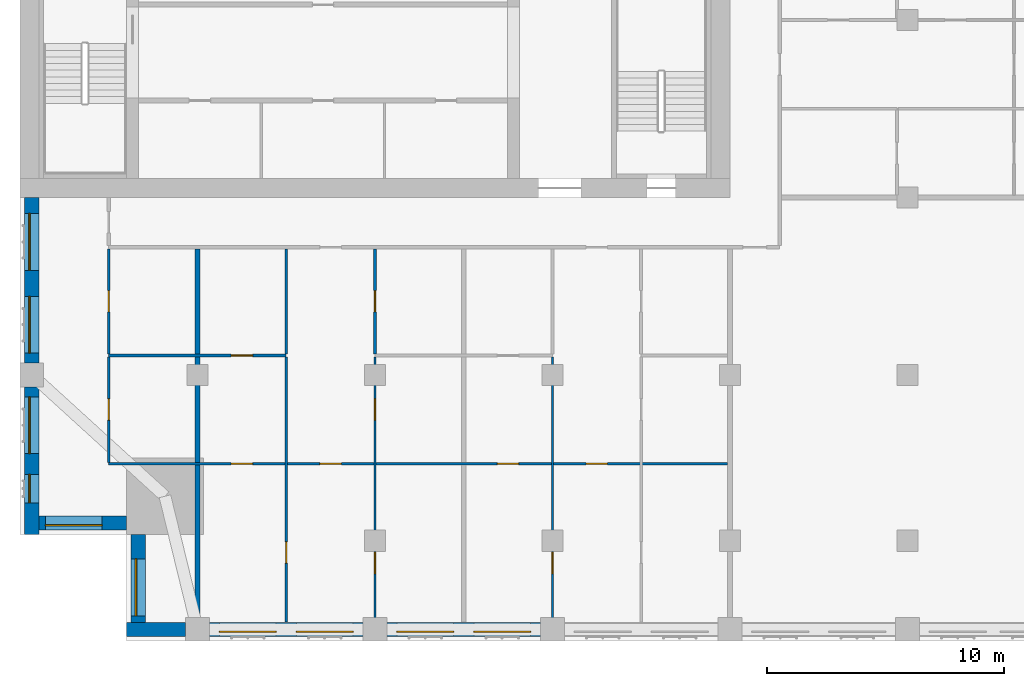
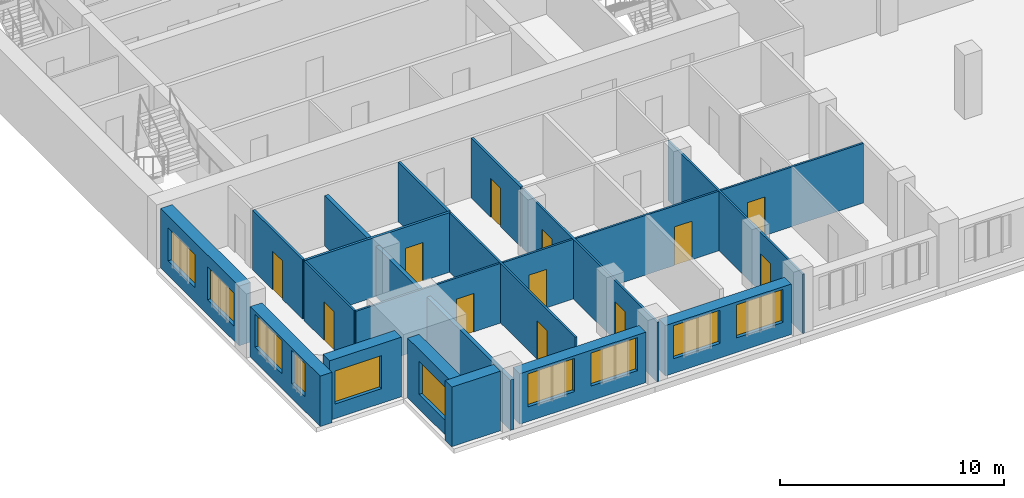
# One storey, part 6 of 14: 17 walls, 12 doors, 10 windows, 22 openings.
"""IFC4 building model written with IfcOpenShell, lengths in metres."""

from ifc_helpers import new_model, si_unit, direction, frame, frame_2d, origin, place, context, subcontext, project, spatial, rectangle, extrude, material, layer, layer_set, type_object, element, fill, save


model = new_model("IFC4")

# Units and contexts
model_context = context("Model", 3, precision=1e-05, world=origin(), true_north=direction((0.0, 1.0)))
body_context = subcontext(model_context, "Body", "Model", "MODEL_VIEW")
ifc_project = project(units=[si_unit("LENGTHUNIT", "METRE"), si_unit("AREAUNIT", "SQUARE_METRE"), si_unit("VOLUMEUNIT", "CUBIC_METRE"), si_unit("PLANEANGLEUNIT", "RADIAN"), si_unit("MASSUNIT", "GRAM", prefix="KILO")], contexts=[model_context])

# Site, building, storey
site_placement = place(None, origin())
site = spatial("IfcSite", under=ifc_project, at=site_placement, CompositionType="ELEMENT")
building_placement = place(site_placement, origin())
building = spatial("IfcBuilding", under=site, at=building_placement, Name="Tamorin Gate", CompositionType="ELEMENT")
storey_placement = place(building_placement, frame((0.0, 0.0, 179.199951171875)))
storey = spatial("IfcBuildingStorey", under=building, at=storey_placement, Name="L43", CompositionType="ELEMENT", Elevation=179.199951171875)

# Wall
ifc_material_1 = material(Name="Precast concrete C40/50", Category="concrete")
ifc_layer_1 = layer(ifc_material_1, 0.60009765625)
ifc_layer_set_1 = layer_set([ifc_layer_1], Name="Precast concrete C40/50")
wall_type_1 = type_object("IfcWallType", Name="Board-marked concrete facade panel 600", PredefinedType="SOLIDWALL", material=ifc_layer_set_1)
wall_1_placement = place(storey_placement, frame((34.5, 41.75, 0.0), z_axis=(0.0, 0.0, 1.0), x_axis=(1.0, 0.0, 0.0)))
element("IfcWall", 1, at=wall_1_placement, inside=storey, type_object=wall_type_1, Name="Facade panel", PredefinedType="SOLIDWALL", context=body_context, shape_type="SweptSolid", body=[
    extrude(rectangle(XDim=2.5, YDim=0.60009765625, at=frame_2d((1.25, 0.0))), origin(), (0.0, 0.0, 1.0), 3.25),
])

# Wall, openings, windows
wall_2_placement = place(storey_placement, frame((38.0, 41.75, 0.0), z_axis=(0.0, 0.0, 1.0), x_axis=(1.0, 0.0, 0.0)))
wall_2 = element("IfcWall", 2, at=wall_2_placement, inside=storey, type_object=wall_type_1, Name="Facade panel", PredefinedType="SOLIDWALL", context=body_context, shape_type="SweptSolid", body=[
    extrude(rectangle(XDim=6.5, YDim=0.60009765625, at=frame_2d((3.25, 0.0))), origin(), (0.0, 0.0, 1.0), 2.75),
])
opening_1_placement = place(wall_2_placement, frame((0.425048828125, 0.0, 0.800048828125)))
opening_1 = element("IfcOpeningElement", 3, at=opening_1_placement, cuts=wall_2, Name="Opening WN1", PredefinedType="OPENING", context=body_context, shape_type="SweptSolid", body=[
    extrude(rectangle(XDim=2.39990234375, YDim=1.800048828125, at=frame_2d((1.199951171875, 0.89990234375))), frame((0.0, 0.31005859375, 0.0), z_axis=(0.0, -1.0, 0.0), x_axis=(1.0, 0.0, 0.0)), (0.0, 0.0, 1.0), 0.6201171875),
])
opening_2_placement = place(wall_2_placement, frame((3.675048828125, 0.0, 0.800048828125)))
opening_2 = element("IfcOpeningElement", 4, at=opening_2_placement, cuts=wall_2, Name="Opening WN1", PredefinedType="OPENING", context=body_context, shape_type="SweptSolid", body=[
    extrude(rectangle(XDim=2.39990234375, YDim=1.800048828125, at=frame_2d((1.199951171875, 0.89990234375))), frame((0.0, 0.31005859375, 0.0), z_axis=(0.0, -1.0, 0.0), x_axis=(1.0, 0.0, 0.0)), (0.0, 0.0, 1.0), 0.6201171875),
])
ifc_material_2 = material(Name="Clear glass in aluminium frame", Category="aluminium")
window_type_1 = type_object("IfcWindowType", Name="Deep-set window 2400x1800", PartitioningType="SINGLE_PANEL", PredefinedType="WINDOW", material=ifc_material_2)
window_1_placement = place(opening_1_placement, origin())
window_1 = element("IfcWindow", 5, at=window_1_placement, inside=storey, type_object=window_type_1, Name="Deep-set window", OverallHeight=1.800048828125, OverallWidth=2.39990234375, PartitioningType="SINGLE_PANEL", PredefinedType="WINDOW", context=body_context, shape_type="SweptSolid", body=[
    extrude(rectangle(XDim=2.39990234375, YDim=1.800048828125, at=frame_2d((1.199951171875, 0.89990234375))), frame((0.0, -0.070068359375, 0.0), z_axis=(0.0, -1.0, 0.0), x_axis=(1.0, 0.0, 0.0)), (0.0, 0.0, 1.0), 0.06005859375),
])
fill(opening_1, window_1)
window_2_placement = place(opening_2_placement, origin())
window_2 = element("IfcWindow", 6, at=window_2_placement, inside=storey, type_object=window_type_1, Name="Deep-set window", OverallHeight=1.800048828125, OverallWidth=2.39990234375, PartitioningType="SINGLE_PANEL", PredefinedType="WINDOW", context=body_context, shape_type="SweptSolid", body=[
    extrude(rectangle(XDim=2.39990234375, YDim=1.800048828125, at=frame_2d((1.199951171875, 0.89990234375))), frame((0.0, -0.070068359375, 0.0), z_axis=(0.0, -1.0, 0.0), x_axis=(1.0, 0.0, 0.0)), (0.0, 0.0, 1.0), 0.06005859375),
])
fill(opening_2, window_2)

wall_3_placement = place(storey_placement, frame((45.5, 41.75, 0.0), z_axis=(0.0, 0.0, 1.0), x_axis=(1.0, 0.0, 0.0)))
wall_3 = element("IfcWall", 7, at=wall_3_placement, inside=storey, type_object=wall_type_1, Name="Facade panel", PredefinedType="SOLIDWALL", context=body_context, shape_type="SweptSolid", body=[
    extrude(rectangle(XDim=6.5, YDim=0.60009765625, at=frame_2d((3.25, 0.0))), origin(), (0.0, 0.0, 1.0), 2.75),
])
opening_3_placement = place(wall_3_placement, frame((0.425048828125, 0.0, 0.800048828125)))
opening_3 = element("IfcOpeningElement", 8, at=opening_3_placement, cuts=wall_3, Name="Opening WN1", PredefinedType="OPENING", context=body_context, shape_type="SweptSolid", body=[
    extrude(rectangle(XDim=2.39990234375, YDim=1.800048828125, at=frame_2d((1.199951171875, 0.89990234375))), frame((0.0, 0.31005859375, 0.0), z_axis=(0.0, -1.0, 0.0), x_axis=(1.0, 0.0, 0.0)), (0.0, 0.0, 1.0), 0.6201171875),
])
opening_4_placement = place(wall_3_placement, frame((3.675048828125, 0.0, 0.800048828125)))
opening_4 = element("IfcOpeningElement", 9, at=opening_4_placement, cuts=wall_3, Name="Opening WN1", PredefinedType="OPENING", context=body_context, shape_type="SweptSolid", body=[
    extrude(rectangle(XDim=2.39990234375, YDim=1.800048828125, at=frame_2d((1.199951171875, 0.89990234375))), frame((0.0, 0.31005859375, 0.0), z_axis=(0.0, -1.0, 0.0), x_axis=(1.0, 0.0, 0.0)), (0.0, 0.0, 1.0), 0.6201171875),
])
window_3_placement = place(opening_3_placement, origin())
window_3 = element("IfcWindow", 10, at=window_3_placement, inside=storey, type_object=window_type_1, Name="Deep-set window", OverallHeight=1.800048828125, OverallWidth=2.39990234375, PartitioningType="SINGLE_PANEL", PredefinedType="WINDOW", context=body_context, shape_type="SweptSolid", body=[
    extrude(rectangle(XDim=2.39990234375, YDim=1.800048828125, at=frame_2d((1.199951171875, 0.89990234375))), frame((0.0, -0.070068359375, 0.0), z_axis=(0.0, -1.0, 0.0), x_axis=(1.0, 0.0, 0.0)), (0.0, 0.0, 1.0), 0.06005859375),
])
fill(opening_3, window_3)
window_4_placement = place(opening_4_placement, origin())
window_4 = element("IfcWindow", 11, at=window_4_placement, inside=storey, type_object=window_type_1, Name="Deep-set window", OverallHeight=1.800048828125, OverallWidth=2.39990234375, PartitioningType="SINGLE_PANEL", PredefinedType="WINDOW", context=body_context, shape_type="SweptSolid", body=[
    extrude(rectangle(XDim=2.39990234375, YDim=1.800048828125, at=frame_2d((1.199951171875, 0.89990234375))), frame((0.0, -0.070068359375, 0.0), z_axis=(0.0, -1.0, 0.0), x_axis=(1.0, 0.0, 0.0)), (0.0, 0.0, 1.0), 0.06005859375),
])
fill(opening_4, window_4)

wall_4_placement = place(storey_placement, frame((30.5, 60.0, 0.0), z_axis=(0.0, 0.0, 1.0), x_axis=(0.0, -1.0, 0.0)))
wall_4 = element("IfcWall", 12, at=wall_4_placement, inside=storey, type_object=wall_type_1, Name="Facade panel", PredefinedType="SOLIDWALL", context=body_context, shape_type="SweptSolid", body=[
    extrude(rectangle(XDim=7.0, YDim=0.60009765625, at=frame_2d((3.5, 0.0))), origin(), (0.0, 0.0, 1.0), 3.25),
])
opening_5_placement = place(wall_4_placement, frame((4.175048828125, 0.0, 0.800048828125)))
opening_5 = element("IfcOpeningElement", 13, at=opening_5_placement, cuts=wall_4, Name="Opening WN1", PredefinedType="OPENING", context=body_context, shape_type="SweptSolid", body=[
    extrude(rectangle(XDim=2.39990234375, YDim=1.800048828125, at=frame_2d((1.199951171875, 0.89990234375))), frame((0.0, 0.31005859375, 0.0), z_axis=(0.0, -1.0, 0.0), x_axis=(1.0, 0.0, 0.0)), (0.0, 0.0, 1.0), 0.6201171875),
])
opening_6_placement = place(wall_4_placement, frame((0.675048828125, 0.0, 0.800048828125)))
opening_6 = element("IfcOpeningElement", 14, at=opening_6_placement, cuts=wall_4, Name="Opening WN1", PredefinedType="OPENING", context=body_context, shape_type="SweptSolid", body=[
    extrude(rectangle(XDim=2.39990234375, YDim=1.800048828125, at=frame_2d((1.199951171875, 0.89990234375))), frame((0.0, 0.31005859375, 0.0), z_axis=(0.0, -1.0, 0.0), x_axis=(1.0, 0.0, 0.0)), (0.0, 0.0, 1.0), 0.6201171875),
])
window_5_placement = place(opening_5_placement, origin())
window_5 = element("IfcWindow", 15, at=window_5_placement, inside=storey, type_object=window_type_1, Name="Deep-set window", OverallHeight=1.800048828125, OverallWidth=2.39990234375, PartitioningType="SINGLE_PANEL", PredefinedType="WINDOW", context=body_context, shape_type="SweptSolid", body=[
    extrude(rectangle(XDim=2.39990234375, YDim=1.800048828125, at=frame_2d((1.199951171875, 0.89990234375))), frame((0.0, -0.070068359375, 0.0), z_axis=(0.0, -1.0, 0.0), x_axis=(1.0, 0.0, 0.0)), (0.0, 0.0, 1.0), 0.06005859375),
])
fill(opening_5, window_5)
window_6_placement = place(opening_6_placement, origin())
window_6 = element("IfcWindow", 16, at=window_6_placement, inside=storey, type_object=window_type_1, Name="Deep-set window", OverallHeight=1.800048828125, OverallWidth=2.39990234375, PartitioningType="SINGLE_PANEL", PredefinedType="WINDOW", context=body_context, shape_type="SweptSolid", body=[
    extrude(rectangle(XDim=2.39990234375, YDim=1.800048828125, at=frame_2d((1.199951171875, 0.89990234375))), frame((0.0, -0.070068359375, 0.0), z_axis=(0.0, -1.0, 0.0), x_axis=(1.0, 0.0, 0.0)), (0.0, 0.0, 1.0), 0.06005859375),
])
fill(opening_6, window_6)

wall_5_placement = place(storey_placement, frame((30.5, 52.0, 0.0), z_axis=(0.0, 0.0, 1.0), x_axis=(0.0, -1.0, 0.0)))
wall_5 = element("IfcWall", 17, at=wall_5_placement, inside=storey, type_object=wall_type_1, Name="Facade panel", PredefinedType="SOLIDWALL", context=body_context, shape_type="SweptSolid", body=[
    extrude(rectangle(XDim=6.25, YDim=0.60009765625, at=frame_2d((3.125, 0.0))), origin(), (0.0, 0.0, 1.0), 2.75),
])
opening_7_placement = place(wall_5_placement, frame((3.699951171875, 0.0, 0.800048828125)))
opening_7 = element("IfcOpeningElement", 18, at=opening_7_placement, cuts=wall_5, Name="Opening WN3", PredefinedType="OPENING", context=body_context, shape_type="SweptSolid", body=[
    extrude(rectangle(XDim=1.199951171875, YDim=1.800048828125, at=frame_2d((0.60009765625, 0.89990234375))), frame((0.0, 0.31005859375, 0.0), z_axis=(0.0, -1.0, 0.0), x_axis=(1.0, 0.0, 0.0)), (0.0, 0.0, 1.0), 0.6201171875),
])
opening_8_placement = place(wall_5_placement, frame((0.425048828125, 0.0, 0.800048828125)))
opening_8 = element("IfcOpeningElement", 19, at=opening_8_placement, cuts=wall_5, Name="Opening WN1", PredefinedType="OPENING", context=body_context, shape_type="SweptSolid", body=[
    extrude(rectangle(XDim=2.39990234375, YDim=1.800048828125, at=frame_2d((1.199951171875, 0.89990234375))), frame((0.0, 0.31005859375, 0.0), z_axis=(0.0, -1.0, 0.0), x_axis=(1.0, 0.0, 0.0)), (0.0, 0.0, 1.0), 0.6201171875),
])
window_type_2 = type_object("IfcWindowType", Name="Deep-set window 1200x1800", PartitioningType="SINGLE_PANEL", PredefinedType="WINDOW", material=ifc_material_2)
window_7_placement = place(opening_7_placement, origin())
window_7 = element("IfcWindow", 20, at=window_7_placement, inside=storey, type_object=window_type_2, Name="Deep-set window", OverallHeight=1.800048828125, OverallWidth=1.199951171875, PartitioningType="SINGLE_PANEL", PredefinedType="WINDOW", context=body_context, shape_type="SweptSolid", body=[
    extrude(rectangle(XDim=1.199951171875, YDim=1.800048828125, at=frame_2d((0.60009765625, 0.89990234375))), frame((0.0, -0.070068359375, 0.0), z_axis=(0.0, -1.0, 0.0), x_axis=(1.0, 0.0, 0.0)), (0.0, 0.0, 1.0), 0.06005859375),
])
fill(opening_7, window_7)
window_8_placement = place(opening_8_placement, origin())
window_8 = element("IfcWindow", 21, at=window_8_placement, inside=storey, type_object=window_type_1, Name="Deep-set window", OverallHeight=1.800048828125, OverallWidth=2.39990234375, PartitioningType="SINGLE_PANEL", PredefinedType="WINDOW", context=body_context, shape_type="SweptSolid", body=[
    extrude(rectangle(XDim=2.39990234375, YDim=1.800048828125, at=frame_2d((1.199951171875, 0.89990234375))), frame((0.0, -0.070068359375, 0.0), z_axis=(0.0, -1.0, 0.0), x_axis=(1.0, 0.0, 0.0)), (0.0, 0.0, 1.0), 0.06005859375),
])
fill(opening_8, window_8)

# Wall, opening, window
wall_6_placement = place(storey_placement, frame((30.800048828125, 46.25, 0.0), z_axis=(0.0, 0.0, 1.0), x_axis=(1.0, 0.0, 0.0)))
wall_6 = element("IfcWall", 22, at=wall_6_placement, inside=storey, type_object=wall_type_1, Name="Facade panel", PredefinedType="SOLIDWALL", context=body_context, shape_type="SweptSolid", body=[
    extrude(rectangle(XDim=3.699951171875, YDim=0.60009765625, at=frame_2d((1.85009765625, 0.0))), origin(), (0.0, 0.0, 1.0), 3.25),
])
opening_9_placement = place(wall_6_placement, frame((0.27490234375, 0.0, 0.800048828125)))
opening_9 = element("IfcOpeningElement", 23, at=opening_9_placement, cuts=wall_6, Name="Opening WN1", PredefinedType="OPENING", context=body_context, shape_type="SweptSolid", body=[
    extrude(rectangle(XDim=2.39990234375, YDim=1.800048828125, at=frame_2d((1.199951171875, 0.89990234375))), frame((0.0, 0.31005859375, 0.0), z_axis=(0.0, -1.0, 0.0), x_axis=(1.0, 0.0, 0.0)), (0.0, 0.0, 1.0), 0.6201171875),
])
window_9_placement = place(opening_9_placement, origin())
window_9 = element("IfcWindow", 24, at=window_9_placement, inside=storey, type_object=window_type_1, Name="Deep-set window", OverallHeight=1.800048828125, OverallWidth=2.39990234375, PartitioningType="SINGLE_PANEL", PredefinedType="WINDOW", context=body_context, shape_type="SweptSolid", body=[
    extrude(rectangle(XDim=2.39990234375, YDim=1.800048828125, at=frame_2d((1.199951171875, 0.89990234375))), frame((0.0, -0.070068359375, 0.0), z_axis=(0.0, -1.0, 0.0), x_axis=(1.0, 0.0, 0.0)), (0.0, 0.0, 1.0), 0.06005859375),
])
fill(opening_9, window_9)

wall_7_placement = place(storey_placement, frame((35.0, 45.75, 0.0), z_axis=(0.0, 0.0, 1.0), x_axis=(0.0, -1.0, 0.0)))
wall_7 = element("IfcWall", 25, at=wall_7_placement, inside=storey, type_object=wall_type_1, Name="Facade panel", PredefinedType="SOLIDWALL", context=body_context, shape_type="SweptSolid", body=[
    extrude(rectangle(XDim=3.699951171875, YDim=0.60009765625, at=frame_2d((1.85009765625, 0.0))), origin(), (0.0, 0.0, 1.0), 3.25),
])
opening_10_placement = place(wall_7_placement, frame((1.02490234375, 0.0, 0.800048828125)))
opening_10 = element("IfcOpeningElement", 26, at=opening_10_placement, cuts=wall_7, Name="Opening WN1", PredefinedType="OPENING", context=body_context, shape_type="SweptSolid", body=[
    extrude(rectangle(XDim=2.39990234375, YDim=1.800048828125, at=frame_2d((1.199951171875, 0.89990234375))), frame((0.0, 0.31005859375, 0.0), z_axis=(0.0, -1.0, 0.0), x_axis=(1.0, 0.0, 0.0)), (0.0, 0.0, 1.0), 0.6201171875),
])
window_10_placement = place(opening_10_placement, origin())
window_10 = element("IfcWindow", 27, at=window_10_placement, inside=storey, type_object=window_type_1, Name="Deep-set window", OverallHeight=1.800048828125, OverallWidth=2.39990234375, PartitioningType="SINGLE_PANEL", PredefinedType="WINDOW", context=body_context, shape_type="SweptSolid", body=[
    extrude(rectangle(XDim=2.39990234375, YDim=1.800048828125, at=frame_2d((1.199951171875, 0.89990234375))), frame((0.0, -0.070068359375, 0.0), z_axis=(0.0, -1.0, 0.0), x_axis=(1.0, 0.0, 0.0)), (0.0, 0.0, 1.0), 0.06005859375),
])
fill(opening_10, window_10)

# Wall
ifc_material_3 = material(Name="Gypsum board partition")
ifc_layer_2 = layer(ifc_material_3, 0.199951171875)
ifc_layer_set_2 = layer_set([ifc_layer_2], Name="Demising wall 200")
wall_type_2 = type_object("IfcWallType", Name="Demising wall 200", PredefinedType="PARTITIONING", material=ifc_layer_set_2)
wall_8_placement = place(storey_placement, frame((37.5, 41.25, 0.0), z_axis=(0.0, 0.0, 1.0), x_axis=(0.0, 1.0, 0.0)))
element("IfcWall", 28, at=wall_8_placement, inside=storey, type_object=wall_type_2, Name="Demising wall 200", PredefinedType="PARTITIONING", context=body_context, shape_type="SweptSolid", body=[
    extrude(rectangle(XDim=16.574951171875, YDim=0.199951171875, at=frame_2d((8.28759765625, 0.0))), origin(), (0.0, 0.0, 1.0), 2.75),
])

# Wall, openings, doors
ifc_layer_3 = layer(ifc_material_3, 0.10009765625)
ifc_layer_set_3 = layer_set([ifc_layer_3], Name="Room partition 100")
wall_type_3 = type_object("IfcWallType", Name="Room partition 100", PredefinedType="PARTITIONING", material=ifc_layer_set_3)
wall_9_placement = place(storey_placement, frame((33.75, 48.75, 0.0), z_axis=(0.0, 0.0, 1.0), x_axis=(1.0, 0.0, 0.0)))
wall_9 = element("IfcWall", 29, at=wall_9_placement, inside=storey, type_object=wall_type_3, Name="Room partition 100", PredefinedType="PARTITIONING", context=body_context, shape_type="SweptSolid", body=[
    extrude(rectangle(XDim=26.14990234375, YDim=0.10009765625, at=frame_2d((13.074951171875, 0.0))), origin(), (0.0, 0.0, 1.0), 3.25),
])
opening_11_placement = place(wall_9_placement, frame((5.175048828125, 0.0, 0.0)))
opening_11 = element("IfcOpeningElement", 30, at=opening_11_placement, cuts=wall_9, Name="Opening DR1004", PredefinedType="OPENING", context=body_context, shape_type="SweptSolid", body=[
    extrude(rectangle(XDim=0.89990234375, YDim=2.10009765625, at=frame_2d((0.449951171875, 1.050048828125))), frame((0.0, 0.06005859375, 0.0), z_axis=(0.0, -1.0, 0.0), x_axis=(1.0, 0.0, 0.0)), (0.0, 0.0, 1.0), 0.1201171875),
])
opening_12_placement = place(wall_9_placement, frame((8.925048828125, 0.0, 0.0)))
opening_12 = element("IfcOpeningElement", 31, at=opening_12_placement, cuts=wall_9, Name="Opening DR1007", PredefinedType="OPENING", context=body_context, shape_type="SweptSolid", body=[
    extrude(rectangle(XDim=0.89990234375, YDim=2.10009765625, at=frame_2d((0.449951171875, 1.050048828125))), frame((0.0, 0.06005859375, 0.0), z_axis=(0.0, -1.0, 0.0), x_axis=(1.0, 0.0, 0.0)), (0.0, 0.0, 1.0), 0.1201171875),
])
opening_13_placement = place(wall_9_placement, frame((16.425048828125, 0.0, 0.0)))
opening_13 = element("IfcOpeningElement", 32, at=opening_13_placement, cuts=wall_9, Name="Opening DR1012", PredefinedType="OPENING", context=body_context, shape_type="SweptSolid", body=[
    extrude(rectangle(XDim=0.89990234375, YDim=2.10009765625, at=frame_2d((0.449951171875, 1.050048828125))), frame((0.0, 0.06005859375, 0.0), z_axis=(0.0, -1.0, 0.0), x_axis=(1.0, 0.0, 0.0)), (0.0, 0.0, 1.0), 0.1201171875),
])
opening_14_placement = place(wall_9_placement, frame((20.175048828125, 0.0, 0.0)))
opening_14 = element("IfcOpeningElement", 33, at=opening_14_placement, cuts=wall_9, Name="Opening DR1015", PredefinedType="OPENING", context=body_context, shape_type="SweptSolid", body=[
    extrude(rectangle(XDim=0.89990234375, YDim=2.10009765625, at=frame_2d((0.449951171875, 1.050048828125))), frame((0.0, 0.06005859375, 0.0), z_axis=(0.0, -1.0, 0.0), x_axis=(1.0, 0.0, 0.0)), (0.0, 0.0, 1.0), 0.1201171875),
])
ifc_material_4 = material(Name="Timber door leaf", Category="wood")
door_type = type_object("IfcDoorType", Name="Door 900 x 2100", OperationType="NOTDEFINED", PredefinedType="DOOR", material=ifc_material_4)
door_1_placement = place(opening_11_placement, origin())
door_1 = element("IfcDoor", 34, at=door_1_placement, inside=storey, type_object=door_type, Name="Door DR1004", OperationType="SINGLE_SWING_LEFT", OverallHeight=2.10009765625, OverallWidth=0.89990234375, PredefinedType="DOOR", context=body_context, shape_type="SweptSolid", body=[
    extrude(rectangle(XDim=0.89990234375, YDim=2.10009765625, at=frame_2d((0.449951171875, 1.050048828125))), frame((0.0, 0.02490234375, 0.0), z_axis=(0.0, -1.0, 0.0), x_axis=(1.0, 0.0, 0.0)), (0.0, 0.0, 1.0), 0.050048828125),
])
fill(opening_11, door_1)
door_2_placement = place(opening_12_placement, origin())
door_2 = element("IfcDoor", 35, at=door_2_placement, inside=storey, type_object=door_type, Name="Door DR1007", OperationType="SINGLE_SWING_LEFT", OverallHeight=2.10009765625, OverallWidth=0.89990234375, PredefinedType="DOOR", context=body_context, shape_type="SweptSolid", body=[
    extrude(rectangle(XDim=0.89990234375, YDim=2.10009765625, at=frame_2d((0.449951171875, 1.050048828125))), frame((0.0, 0.02490234375, 0.0), z_axis=(0.0, -1.0, 0.0), x_axis=(1.0, 0.0, 0.0)), (0.0, 0.0, 1.0), 0.050048828125),
])
fill(opening_12, door_2)
door_3_placement = place(opening_13_placement, origin())
door_3 = element("IfcDoor", 36, at=door_3_placement, inside=storey, type_object=door_type, Name="Door DR1012", OperationType="SINGLE_SWING_LEFT", OverallHeight=2.10009765625, OverallWidth=0.89990234375, PredefinedType="DOOR", context=body_context, shape_type="SweptSolid", body=[
    extrude(rectangle(XDim=0.89990234375, YDim=2.10009765625, at=frame_2d((0.449951171875, 1.050048828125))), frame((0.0, 0.02490234375, 0.0), z_axis=(0.0, -1.0, 0.0), x_axis=(1.0, 0.0, 0.0)), (0.0, 0.0, 1.0), 0.050048828125),
])
fill(opening_13, door_3)
door_4_placement = place(opening_14_placement, origin())
door_4 = element("IfcDoor", 37, at=door_4_placement, inside=storey, type_object=door_type, Name="Door DR1015", OperationType="SINGLE_SWING_LEFT", OverallHeight=2.10009765625, OverallWidth=0.89990234375, PredefinedType="DOOR", context=body_context, shape_type="SweptSolid", body=[
    extrude(rectangle(XDim=0.89990234375, YDim=2.10009765625, at=frame_2d((0.449951171875, 1.050048828125))), frame((0.0, 0.02490234375, 0.0), z_axis=(0.0, -1.0, 0.0), x_axis=(1.0, 0.0, 0.0)), (0.0, 0.0, 1.0), 0.050048828125),
])
fill(opening_14, door_4)

# Wall, opening, door
wall_10_placement = place(storey_placement, frame((33.75, 48.800048828125, 0.0), z_axis=(0.0, 0.0, 1.0), x_axis=(0.0, 1.0, 0.0)))
wall_10 = element("IfcWall", 38, at=wall_10_placement, inside=storey, type_object=wall_type_3, Name="Room partition 100", PredefinedType="PARTITIONING", context=body_context, shape_type="SweptSolid", body=[
    extrude(rectangle(XDim=4.46240234375, YDim=0.10009765625, at=frame_2d((2.231201171875, 0.0))), origin(), (0.0, 0.0, 1.0), 3.25),
])
opening_15_placement = place(wall_10_placement, frame((1.78759765625, 0.0, 0.0)))
opening_15 = element("IfcOpeningElement", 39, at=opening_15_placement, cuts=wall_10, Name="Opening DR1002", PredefinedType="OPENING", context=body_context, shape_type="SweptSolid", body=[
    extrude(rectangle(XDim=0.89990234375, YDim=2.10009765625, at=frame_2d((0.449951171875, 1.050048828125))), frame((0.0, 0.06005859375, 0.0), z_axis=(0.0, -1.0, 0.0), x_axis=(1.0, 0.0, 0.0)), (0.0, 0.0, 1.0), 0.1201171875),
])
door_5_placement = place(opening_15_placement, origin())
door_5 = element("IfcDoor", 40, at=door_5_placement, inside=storey, type_object=door_type, Name="Door DR1002", OperationType="SINGLE_SWING_RIGHT", OverallHeight=2.10009765625, OverallWidth=0.89990234375, PredefinedType="DOOR", context=body_context, shape_type="SweptSolid", body=[
    extrude(rectangle(XDim=0.89990234375, YDim=2.10009765625, at=frame_2d((0.449951171875, 1.050048828125))), frame((0.0, 0.02490234375, 0.0), z_axis=(0.0, -1.0, 0.0), x_axis=(1.0, 0.0, 0.0)), (0.0, 0.0, 1.0), 0.050048828125),
])
fill(opening_15, door_5)

wall_11_placement = place(storey_placement, frame((41.25, 42.06005859375, 0.0), z_axis=(0.0, 0.0, 1.0), x_axis=(0.0, 1.0, 0.0)))
wall_11 = element("IfcWall", 41, at=wall_11_placement, inside=storey, type_object=wall_type_3, Name="Room partition 100", PredefinedType="PARTITIONING", context=body_context, shape_type="SweptSolid", body=[
    extrude(rectangle(XDim=11.202392578125, YDim=0.10009765625, at=frame_2d((5.60107421875, 0.0))), origin(), (0.0, 0.0, 1.0), 3.25),
])
opening_16_placement = place(wall_11_placement, frame((2.489990234375, 0.0, 0.0)))
opening_16 = element("IfcOpeningElement", 42, at=opening_16_placement, cuts=wall_11, Name="Opening DR1010", PredefinedType="OPENING", context=body_context, shape_type="SweptSolid", body=[
    extrude(rectangle(XDim=0.89990234375, YDim=2.10009765625, at=frame_2d((0.449951171875, 1.050048828125))), frame((0.0, 0.06005859375, 0.0), z_axis=(0.0, -1.0, 0.0), x_axis=(1.0, 0.0, 0.0)), (0.0, 0.0, 1.0), 0.1201171875),
])
door_6_placement = place(opening_16_placement, origin())
door_6 = element("IfcDoor", 43, at=door_6_placement, inside=storey, type_object=door_type, Name="Door DR1010", OperationType="SINGLE_SWING_LEFT", OverallHeight=2.10009765625, OverallWidth=0.89990234375, PredefinedType="DOOR", context=body_context, shape_type="SweptSolid", body=[
    extrude(rectangle(XDim=0.89990234375, YDim=2.10009765625, at=frame_2d((0.449951171875, 1.050048828125))), frame((0.0, 0.02490234375, 0.0), z_axis=(0.0, -1.0, 0.0), x_axis=(1.0, 0.0, 0.0)), (0.0, 0.0, 1.0), 0.050048828125),
])
fill(opening_16, door_6)

# Wall, openings, doors
wall_12_placement = place(storey_placement, frame((45.0, 41.25, 0.0), z_axis=(0.0, 0.0, 1.0), x_axis=(0.0, 1.0, 0.0)))
wall_12 = element("IfcWall", 44, at=wall_12_placement, inside=storey, type_object=wall_type_3, Name="Room partition 100", PredefinedType="PARTITIONING", context=body_context, shape_type="SweptSolid", body=[
    extrude(rectangle(XDim=12.012451171875, YDim=0.10009765625, at=frame_2d((6.00634765625, 0.0))), origin(), (0.0, 0.0, 1.0), 3.25),
])
opening_17_placement = place(wall_12_placement, frame((9.33740234375, 0.0, 0.0)))
opening_17 = element("IfcOpeningElement", 45, at=opening_17_placement, cuts=wall_12, Name="Opening DR1008", PredefinedType="OPENING", context=body_context, shape_type="SweptSolid", body=[
    extrude(rectangle(XDim=0.89990234375, YDim=2.10009765625, at=frame_2d((0.449951171875, 1.050048828125))), frame((0.0, 0.06005859375, 0.0), z_axis=(0.0, -1.0, 0.0), x_axis=(1.0, 0.0, 0.0)), (0.0, 0.0, 1.0), 0.1201171875),
])
opening_18_placement = place(wall_12_placement, frame((2.85009765625, 0.0, 0.0)))
opening_18 = element("IfcOpeningElement", 46, at=opening_18_placement, cuts=wall_12, Name="Opening DR1011", PredefinedType="OPENING", context=body_context, shape_type="SweptSolid", body=[
    extrude(rectangle(XDim=0.89990234375, YDim=2.10009765625, at=frame_2d((0.449951171875, 1.050048828125))), frame((0.0, 0.06005859375, 0.0), z_axis=(0.0, -1.0, 0.0), x_axis=(1.0, 0.0, 0.0)), (0.0, 0.0, 1.0), 0.1201171875),
])
door_7_placement = place(opening_17_placement, origin())
door_7 = element("IfcDoor", 47, at=door_7_placement, inside=storey, type_object=door_type, Name="Door DR1008", OperationType="SINGLE_SWING_RIGHT", OverallHeight=2.10009765625, OverallWidth=0.89990234375, PredefinedType="DOOR", context=body_context, shape_type="SweptSolid", body=[
    extrude(rectangle(XDim=0.89990234375, YDim=2.10009765625, at=frame_2d((0.449951171875, 1.050048828125))), frame((0.0, 0.02490234375, 0.0), z_axis=(0.0, -1.0, 0.0), x_axis=(1.0, 0.0, 0.0)), (0.0, 0.0, 1.0), 0.050048828125),
])
fill(opening_17, door_7)
door_8_placement = place(opening_18_placement, origin())
door_8 = element("IfcDoor", 48, at=door_8_placement, inside=storey, type_object=door_type, Name="Door DR1011", OperationType="SINGLE_SWING_LEFT", OverallHeight=2.10009765625, OverallWidth=0.89990234375, PredefinedType="DOOR", context=body_context, shape_type="SweptSolid", body=[
    extrude(rectangle(XDim=0.89990234375, YDim=2.10009765625, at=frame_2d((0.449951171875, 1.050048828125))), frame((0.0, 0.02490234375, 0.0), z_axis=(0.0, -1.0, 0.0), x_axis=(1.0, 0.0, 0.0)), (0.0, 0.0, 1.0), 0.050048828125),
])
fill(opening_18, door_8)

# Wall, opening, door
wall_13_placement = place(storey_placement, frame((52.5, 41.25, 0.0), z_axis=(0.0, 0.0, 1.0), x_axis=(0.0, 1.0, 0.0)))
wall_13 = element("IfcWall", 49, at=wall_13_placement, inside=storey, type_object=wall_type_3, Name="Room partition 100", PredefinedType="PARTITIONING", context=body_context, shape_type="SweptSolid", body=[
    extrude(rectangle(XDim=12.012451171875, YDim=0.10009765625, at=frame_2d((6.00634765625, 0.0))), origin(), (0.0, 0.0, 1.0), 3.25),
])
opening_19_placement = place(wall_13_placement, frame((2.85009765625, 0.0, 0.0)))
opening_19 = element("IfcOpeningElement", 50, at=opening_19_placement, cuts=wall_13, Name="Opening DR1018", PredefinedType="OPENING", context=body_context, shape_type="SweptSolid", body=[
    extrude(rectangle(XDim=0.89990234375, YDim=2.10009765625, at=frame_2d((0.449951171875, 1.050048828125))), frame((0.0, 0.06005859375, 0.0), z_axis=(0.0, -1.0, 0.0), x_axis=(1.0, 0.0, 0.0)), (0.0, 0.0, 1.0), 0.1201171875),
])
door_9_placement = place(opening_19_placement, origin())
door_9 = element("IfcDoor", 51, at=door_9_placement, inside=storey, type_object=door_type, Name="Door DR1018", OperationType="SINGLE_SWING_LEFT", OverallHeight=2.10009765625, OverallWidth=0.89990234375, PredefinedType="DOOR", context=body_context, shape_type="SweptSolid", body=[
    extrude(rectangle(XDim=0.89990234375, YDim=2.10009765625, at=frame_2d((0.449951171875, 1.050048828125))), frame((0.0, 0.02490234375, 0.0), z_axis=(0.0, -1.0, 0.0), x_axis=(1.0, 0.0, 0.0)), (0.0, 0.0, 1.0), 0.050048828125),
])
fill(opening_19, door_9)

ifc_layer_4 = layer(ifc_material_3, 0.125)
ifc_layer_set_4 = layer_set([ifc_layer_4], Name="Wet wall 125")
wall_type_4 = type_object("IfcWallType", Name="Wet wall 125", PredefinedType="PARTITIONING", material=ifc_layer_set_4)
wall_14_placement = place(storey_placement, frame((33.75, 53.324951171875, 0.0), z_axis=(0.0, 0.0, 1.0), x_axis=(1.0, 0.0, 0.0)))
wall_14 = element("IfcWall", 52, at=wall_14_placement, inside=storey, type_object=wall_type_4, Name="Wet wall 125", PredefinedType="PARTITIONING", context=body_context, shape_type="SweptSolid", body=[
    extrude(rectangle(XDim=7.5, YDim=0.125, at=frame_2d((3.75, 0.0))), origin(), (0.0, 0.0, 1.0), 3.25),
])
opening_20_placement = place(wall_14_placement, frame((5.175048828125, 0.0, 0.0)))
opening_20 = element("IfcOpeningElement", 53, at=opening_20_placement, cuts=wall_14, Name="Opening DR1005", PredefinedType="OPENING", context=body_context, shape_type="SweptSolid", body=[
    extrude(rectangle(XDim=0.89990234375, YDim=2.10009765625, at=frame_2d((0.449951171875, 1.050048828125))), frame((0.0, 0.072509765625, 0.0), z_axis=(0.0, -1.0, 0.0), x_axis=(1.0, 0.0, 0.0)), (0.0, 0.0, 1.0), 0.14501953125),
])
door_10_placement = place(opening_20_placement, origin())
door_10 = element("IfcDoor", 54, at=door_10_placement, inside=storey, type_object=door_type, Name="Door DR1005", OperationType="SINGLE_SWING_LEFT", OverallHeight=2.10009765625, OverallWidth=0.89990234375, PredefinedType="DOOR", context=body_context, shape_type="SweptSolid", body=[
    extrude(rectangle(XDim=0.89990234375, YDim=2.10009765625, at=frame_2d((0.449951171875, 1.050048828125))), frame((0.0, 0.02490234375, 0.0), z_axis=(0.0, -1.0, 0.0), x_axis=(1.0, 0.0, 0.0)), (0.0, 0.0, 1.0), 0.050048828125),
])
fill(opening_20, door_10)

wall_15_placement = place(storey_placement, frame((33.75, 53.387451171875, 0.0), z_axis=(0.0, 0.0, 1.0), x_axis=(0.0, 1.0, 0.0)))
wall_15 = element("IfcWall", 55, at=wall_15_placement, inside=storey, type_object=wall_type_4, Name="Wet wall 125", PredefinedType="PARTITIONING", context=body_context, shape_type="SweptSolid", body=[
    extrude(rectangle(XDim=4.4375, YDim=0.125, at=frame_2d((2.21875, 0.0))), origin(), (0.0, 0.0, 1.0), 3.25),
])
opening_21_placement = place(wall_15_placement, frame((1.77490234375, 0.0, 0.0)))
opening_21 = element("IfcOpeningElement", 56, at=opening_21_placement, cuts=wall_15, Name="Opening DR1003", PredefinedType="OPENING", context=body_context, shape_type="SweptSolid", body=[
    extrude(rectangle(XDim=0.89990234375, YDim=2.10009765625, at=frame_2d((0.449951171875, 1.050048828125))), frame((0.0, 0.072509765625, 0.0), z_axis=(0.0, -1.0, 0.0), x_axis=(1.0, 0.0, 0.0)), (0.0, 0.0, 1.0), 0.14501953125),
])
door_11_placement = place(opening_21_placement, origin())
door_11 = element("IfcDoor", 57, at=door_11_placement, inside=storey, type_object=door_type, Name="Door DR1003", OperationType="SINGLE_SWING_RIGHT", OverallHeight=2.10009765625, OverallWidth=0.89990234375, PredefinedType="DOOR", context=body_context, shape_type="SweptSolid", body=[
    extrude(rectangle(XDim=0.89990234375, YDim=2.10009765625, at=frame_2d((0.449951171875, 1.050048828125))), frame((0.0, 0.02490234375, 0.0), z_axis=(0.0, -1.0, 0.0), x_axis=(1.0, 0.0, 0.0)), (0.0, 0.0, 1.0), 0.050048828125),
])
fill(opening_21, door_11)

# Wall
wall_16_placement = place(storey_placement, frame((41.25, 53.387451171875, 0.0), z_axis=(0.0, 0.0, 1.0), x_axis=(0.0, 1.0, 0.0)))
element("IfcWall", 58, at=wall_16_placement, inside=storey, type_object=wall_type_4, Name="Wet wall 125", PredefinedType="PARTITIONING", context=body_context, shape_type="SweptSolid", body=[
    extrude(rectangle(XDim=4.4375, YDim=0.125, at=frame_2d((2.21875, 0.0))), origin(), (0.0, 0.0, 1.0), 3.25),
])

# Wall, opening, door
wall_17_placement = place(storey_placement, frame((45.0, 53.387451171875, 0.0), z_axis=(0.0, 0.0, 1.0), x_axis=(0.0, 1.0, 0.0)))
wall_17 = element("IfcWall", 59, at=wall_17_placement, inside=storey, type_object=wall_type_4, Name="Wet wall 125", PredefinedType="PARTITIONING", context=body_context, shape_type="SweptSolid", body=[
    extrude(rectangle(XDim=4.4375, YDim=0.125, at=frame_2d((2.21875, 0.0))), origin(), (0.0, 0.0, 1.0), 3.25),
])
opening_22_placement = place(wall_17_placement, frame((1.77490234375, 0.0, 0.0)))
opening_22 = element("IfcOpeningElement", 60, at=opening_22_placement, cuts=wall_17, Name="Opening DR1009", PredefinedType="OPENING", context=body_context, shape_type="SweptSolid", body=[
    extrude(rectangle(XDim=0.89990234375, YDim=2.10009765625, at=frame_2d((0.449951171875, 1.050048828125))), frame((0.0, 0.072509765625, 0.0), z_axis=(0.0, -1.0, 0.0), x_axis=(1.0, 0.0, 0.0)), (0.0, 0.0, 1.0), 0.14501953125),
])
door_12_placement = place(opening_22_placement, origin())
door_12 = element("IfcDoor", 61, at=door_12_placement, inside=storey, type_object=door_type, Name="Door DR1009", OperationType="SINGLE_SWING_RIGHT", OverallHeight=2.10009765625, OverallWidth=0.89990234375, PredefinedType="DOOR", context=body_context, shape_type="SweptSolid", body=[
    extrude(rectangle(XDim=0.89990234375, YDim=2.10009765625, at=frame_2d((0.449951171875, 1.050048828125))), frame((0.0, 0.02490234375, 0.0), z_axis=(0.0, -1.0, 0.0), x_axis=(1.0, 0.0, 0.0)), (0.0, 0.0, 1.0), 0.050048828125),
])
fill(opening_22, door_12)

save(model, "model.ifc")
